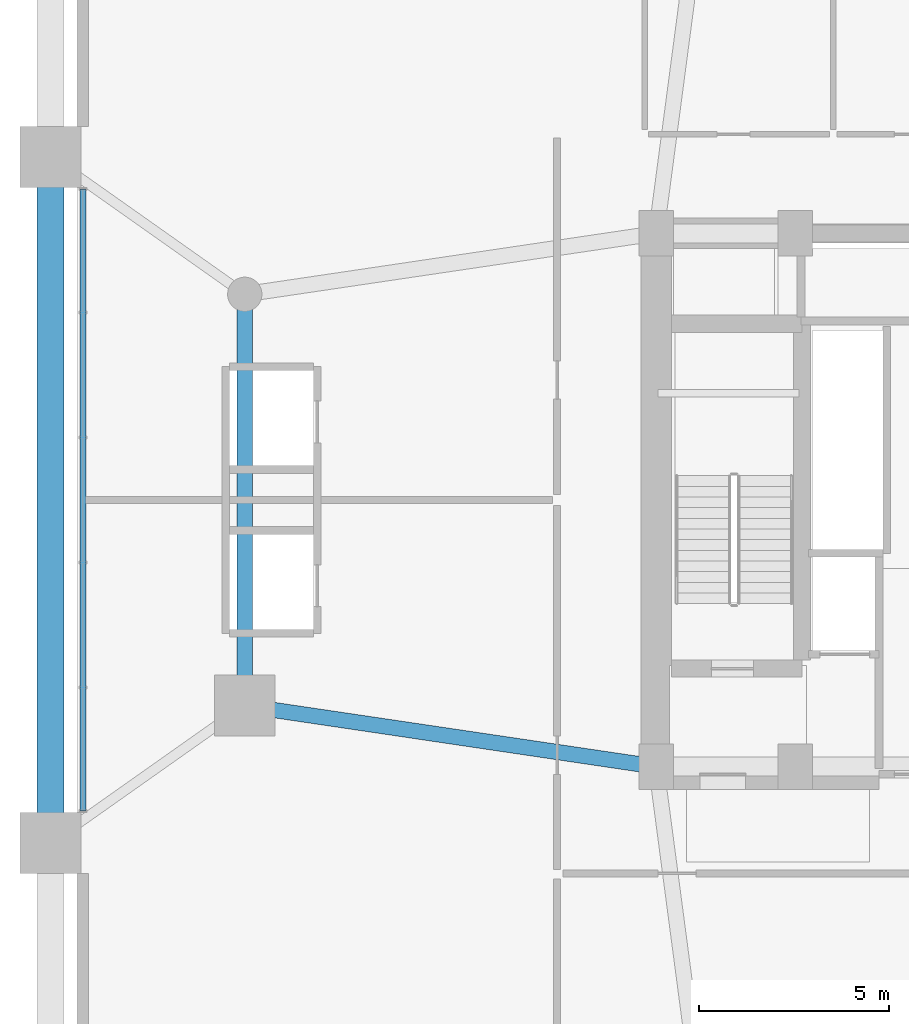
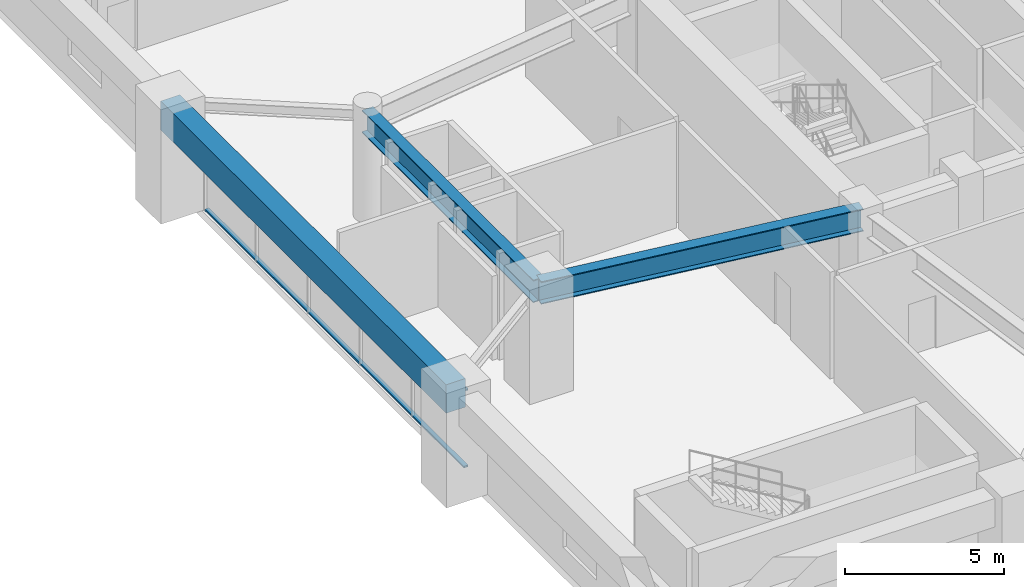
# One storey, part 5 of 22: 3 beams, 2 members, 1 element without a shape of its own.
"""IFC4 building model written with IfcOpenShell, lengths in metres."""

from ifc_helpers import new_model, si_unit, direction, frame, origin, origin_2d, place, context, subcontext, project, spatial, rectangle, hollow_rectangle, i_section, extrude, source, transform, mapped, material, layer, layer_set, material_profile, profile_set, type_object, element, aggregate, save


model = new_model("IFC4")

# Units and contexts
model_context = context("Model", 3, precision=1e-05, world=origin(), true_north=direction((0.0, 1.0)))
body_context = subcontext(model_context, "Body", "Model", "MODEL_VIEW")
ifc_project = project(units=[si_unit("LENGTHUNIT", "METRE"), si_unit("AREAUNIT", "SQUARE_METRE"), si_unit("VOLUMEUNIT", "CUBIC_METRE"), si_unit("PLANEANGLEUNIT", "RADIAN"), si_unit("MASSUNIT", "GRAM", prefix="KILO")], contexts=[model_context])

# Site, building, storey
site_placement = place(None, origin())
site = spatial("IfcSite", under=ifc_project, at=site_placement, CompositionType="ELEMENT")
building_placement = place(site_placement, origin())
building = spatial("IfcBuilding", under=site, at=building_placement, Name="Veraguas Prism Commons", CompositionType="ELEMENT")
storey_placement = place(building_placement, frame((0.0, 0.0, 5.199951171875)))
storey = spatial("IfcBuildingStorey", under=building, at=storey_placement, Name="L01", CompositionType="ELEMENT", Elevation=5.199951171875)

# Beams
ifc_material_1 = material(Name="Steel ASTM A992 Grade 50", Category="steel")
ifc_material_profile_1 = material_profile(ifc_material_1, i_section(OverallWidth=0.403076171875, OverallDepth=0.867919921875, WebThickness=0.02099609375, FlangeThickness=0.03564453125, at=origin_2d()), Name="W840X359")
ifc_profile_set_1 = profile_set([ifc_material_profile_1], Name="Steel ASTM A992 Grade 50")
beam_type_1 = type_object("IfcBeamType", Name="Concourse Primary Girder W840x359", PredefinedType="BEAM", material=ifc_profile_set_1)
beam_1_placement = place(storey_placement, frame((6.39990234375, 18.60009765625, 3.666015625), z_axis=(0.989202261707, -0.146556765224, 0.0), x_axis=(0.146556765224, 0.989202261707, 0.0)))
element("IfcBeam", 1, at=beam_1_placement, inside=storey, type_object=beam_type_1, Name="Concourse Radial Girder L01-TMR06", PredefinedType="BEAM", context=body_context, shape_type="SweptSolid", body=[
    extrude(i_section(OverallWidth=0.403076171875, OverallDepth=0.867919921875, WebThickness=0.02099609375, FlangeThickness=0.03564453125, at=origin_2d()), origin(), (0.0, 0.0, 1.0), 10.91796875),
])
beam_2_placement = place(storey_placement, frame((6.39990234375, 29.39990234375, 3.666015625), z_axis=(0.0, -1.0, 0.0), x_axis=(1.0, 0.0, 0.0)))
element("IfcBeam", 2, at=beam_2_placement, inside=storey, type_object=beam_type_1, Name="Concourse Ring Girder L01-TMH05", PredefinedType="BEAM", context=body_context, shape_type="SweptSolid", body=[
    extrude(i_section(OverallWidth=0.403076171875, OverallDepth=0.867919921875, WebThickness=0.02099609375, FlangeThickness=0.03564453125, at=origin_2d()), origin(), (0.0, 0.0, 1.0), 10.7998046875),
])
ifc_material_2 = material(Name="Concrete C50/60", Category="concrete")
ifc_material_profile_2 = material_profile(ifc_material_2, rectangle(XDim=0.699951171875, YDim=1.10009765625, at=origin_2d()), Name="RC700X1100")
ifc_profile_set_2 = profile_set([ifc_material_profile_2], Name="Concrete C50/60")
beam_type_2 = type_object("IfcBeamType", Name="Podium Primary Girder RC 700x1100", PredefinedType="BEAM", material=ifc_profile_set_2)
beam_3_placement = place(storey_placement, frame((1.300048828125, 33.0, 3.550048828125), z_axis=(0.0, -1.0, 0.0), x_axis=(1.0, 0.0, 0.0)))
element("IfcBeam", 3, at=beam_3_placement, inside=storey, type_object=beam_type_2, Name="Podium Perimeter Girder L01-PDR13", PredefinedType="BEAM", context=body_context, shape_type="SweptSolid", body=[
    extrude(rectangle(XDim=0.699951171875, YDim=1.10009765625, at=origin_2d()), origin(), (0.0, 0.0, 1.0), 18.0),
])

# Curtain wall, members
ifc_material_3 = material(Name="Anodised aluminium EN AW-6063 T6", Category="aluminium")
ifc_layer = layer(ifc_material_3, 0.199951171875, Name="Metro Concourse Structural Glazing", Category="aluminium")
ifc_layer_set = layer_set([ifc_layer], Name="Anodised aluminium EN AW-6063 T6")
curtain_wall_type = type_object("IfcCurtainWallType", Name="Metro Concourse Structural Glazing", PredefinedType="NOTDEFINED", material=ifc_layer_set)
curtain_wall_placement = place(storey_placement, origin())
curtain_wall = element("IfcCurtainWall", 4, at=curtain_wall_placement, inside=storey, type_object=curtain_wall_type, Name="Via Espana Metro Concourse Curtain Wall L01-W02", PredefinedType="NOTDEFINED")
ifc_material_profile_3 = material_profile(ifc_material_3, hollow_rectangle(XDim=0.06005859375, YDim=0.159912109375, WallThickness=0.0029296875, at=origin_2d()), Name="AL60X160X3")
ifc_profile_set_3 = profile_set([ifc_material_profile_3], Name="Anodised aluminium EN AW-6063 T6")
member_type = type_object("IfcMemberType", Name="Curtain Wall Transom Heavy AL 60x160x3", PredefinedType="USERDEFINED", material=ifc_profile_set_3)
shared_shape = source(origin(), body_context, "Body", "SweptSolid", [
    extrude(hollow_rectangle(XDim=0.06005859375, YDim=0.159912109375, WallThickness=0.0029296875, at=origin_2d()), origin(), (0.0, 0.0, 1.0), 16.3349609375),
])
member_1_placement = place(storey_placement, frame((2.14990234375, 32.16748046875, 0.030029296875), z_axis=(0.0, -1.0, 0.0), x_axis=(0.0, 0.0, 1.0)))
member_1 = element("IfcMember", 5, at=member_1_placement, type_object=member_type, Name="CW-STN Transom 1", ObjectType="TRANSOM", PredefinedType="USERDEFINED", context=body_context, shape_type="MappedRepresentation", body=[
    mapped(shared_shape, transform((0.0, 0.0, 0.0), scale=1.0)),
])
member_2_placement = place(storey_placement, frame((2.14990234375, 32.16748046875, 2.969970703125), z_axis=(0.0, -1.0, 0.0), x_axis=(0.0, 0.0, 1.0)))
member_2 = element("IfcMember", 6, at=member_2_placement, type_object=member_type, Name="CW-STN Transom 2", ObjectType="TRANSOM", PredefinedType="USERDEFINED", context=body_context, shape_type="MappedRepresentation", body=[
    mapped(shared_shape, transform((0.0, 0.0, 0.0), scale=1.0)),
])
aggregate(curtain_wall, [member_1, member_2])

save(model, "model.ifc")
